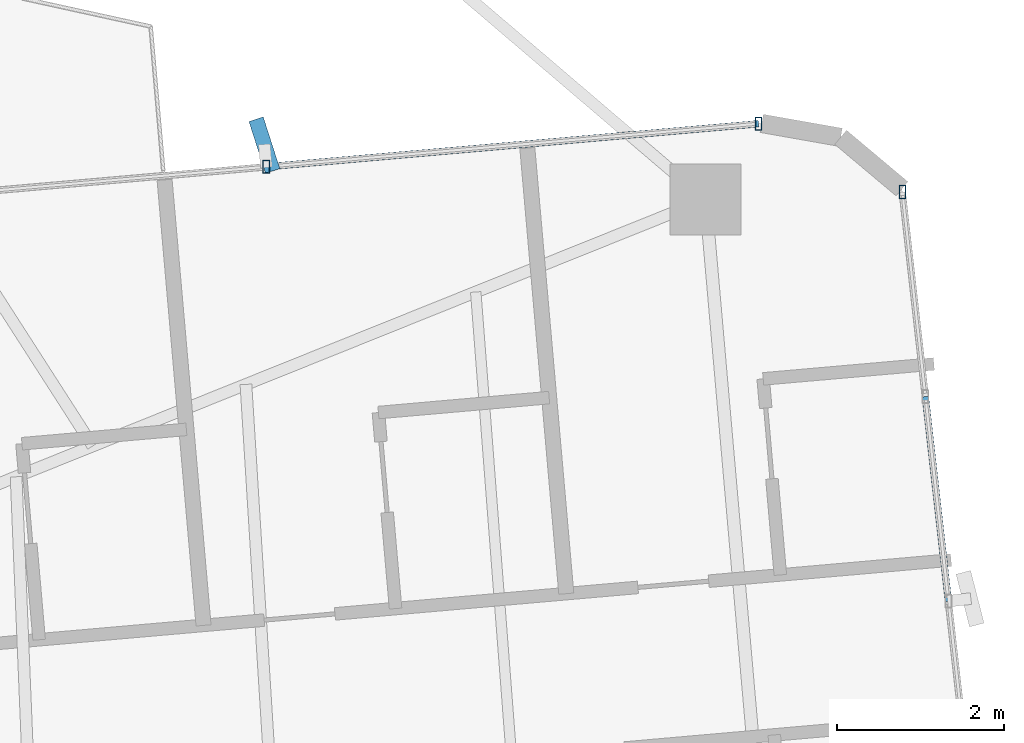
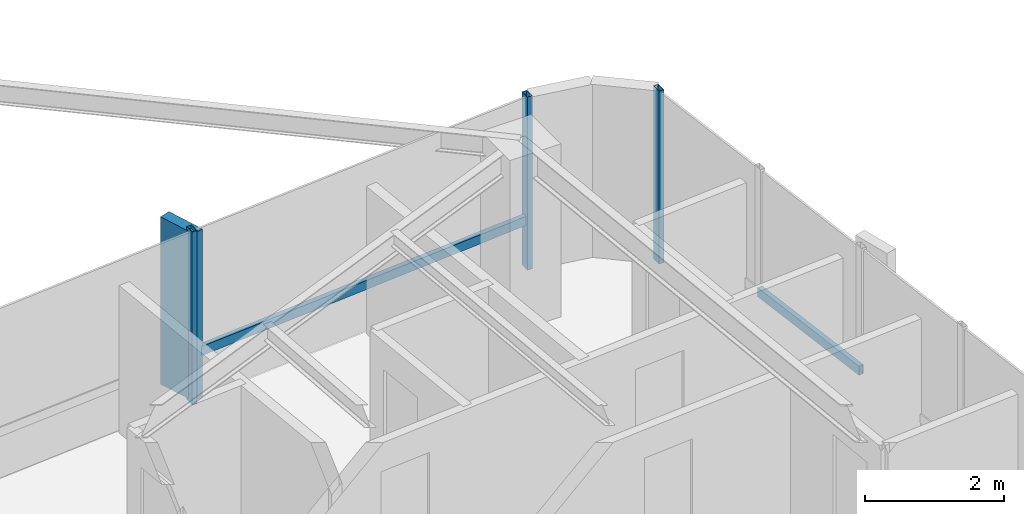
# One storey, part 15 of 24: 6 members, 2 elements without a shape of their own.
"""IFC4 building model written with IfcOpenShell, lengths in metres."""

from ifc_helpers import new_model, si_unit, direction, frame, origin, origin_2d, place, context, subcontext, project, spatial, rectangle, hollow_rectangle, extrude, source, transform, mapped, material, material_profile, profile_set, type_object, element, aggregate, save


model = new_model("IFC4")

# Units and contexts
model_context = context("Model", 3, precision=1e-05, world=origin(), true_north=direction((0.0, 1.0)))
body_context = subcontext(model_context, "Body", "Model", "MODEL_VIEW")
ifc_project = project(units=[si_unit("LENGTHUNIT", "METRE"), si_unit("AREAUNIT", "SQUARE_METRE"), si_unit("VOLUMEUNIT", "CUBIC_METRE"), si_unit("PLANEANGLEUNIT", "RADIAN"), si_unit("MASSUNIT", "GRAM", prefix="KILO")], contexts=[model_context])

# Site, building, storey
site_placement = place(None, origin())
site = spatial("IfcSite", under=ifc_project, at=site_placement, CompositionType="ELEMENT")
building_placement = place(site_placement, origin())
building = spatial("IfcBuilding", under=site, at=building_placement, Name="Sahyath Konkavel Grand Hotel", CompositionType="ELEMENT")
storey_placement = place(building_placement, frame((0.0, 0.0, 167.35009765625)))
storey = spatial("IfcBuildingStorey", under=building, at=storey_placement, Name="L46", CompositionType="ELEMENT", Elevation=167.35009765625)

# Curtain wall, member
ifc_material_1 = material(Name="Anodised Bronze Aluminium & Low-E Glazing", Category="aluminium")
curtain_wall_type = type_object("IfcCurtainWallType", Name="CW-ZONE3", PredefinedType="NOTDEFINED", material=ifc_material_1)
curtain_wall_1_placement = place(storey_placement, origin())
curtain_wall_1 = element("IfcCurtainWall", 1, at=curtain_wall_1_placement, inside=storey, type_object=curtain_wall_type, Name="L46 Unitised Curtain Wall F4", PredefinedType="NOTDEFINED")
ifc_material_2 = material(Name="Anodised Bronze Aluminium", Category="aluminium")
ifc_material_profile_1 = material_profile(ifc_material_2, hollow_rectangle(XDim=0.080078125, YDim=0.159912109375, WallThickness=0.006103515625, at=origin_2d()), Name="RHS 160x80x6")
ifc_profile_set_1 = profile_set([ifc_material_profile_1], Name="Anodised Bronze Aluminium")
member_type_1 = type_object("IfcMemberType", Name="CW-MUL-160", PredefinedType="MULLION", material=ifc_profile_set_1)
shared_shape_1 = source(origin(), body_context, "Body", "SweptSolid", [
    extrude(hollow_rectangle(XDim=0.080078125, YDim=0.159912109375, WallThickness=0.006103515625, at=origin_2d()), origin(), (0.0, 0.0, 1.0), 3.0498046875),
])
member_1_placement = place(storey_placement, frame((19.308349609375, 7.094970703125, 0.0), z_axis=(0.0, 0.0, 1.0), x_axis=(1.0, 0.0, 0.0)))
member_1 = element("IfcMember", 2, at=member_1_placement, type_object=member_type_1, Name="L46 Curtain Wall Mullion F4-4", PredefinedType="MULLION", context=body_context, shape_type="MappedRepresentation", body=[
    mapped(shared_shape_1, transform((0.0, 0.0, 0.0), scale=1.0)),
])

# Curtain wall, members
curtain_wall_2_placement = place(storey_placement, origin())
curtain_wall_2 = element("IfcCurtainWall", 3, at=curtain_wall_2_placement, inside=storey, type_object=curtain_wall_type, Name="L46 Unitised Curtain Wall F7", PredefinedType="NOTDEFINED")
member_2_placement = place(storey_placement, frame((17.58740234375, 7.912841796875, 0.0), z_axis=(0.0, 0.0, 1.0), x_axis=(1.0, 0.0, 0.0)))
member_2 = element("IfcMember", 4, at=member_2_placement, type_object=member_type_1, Name="L46 Curtain Wall Mullion F7-0", PredefinedType="MULLION", context=body_context, shape_type="MappedRepresentation", body=[
    mapped(shared_shape_1, transform((0.0, 0.0, 0.0), scale=1.0)),
])
member_3_placement = place(storey_placement, frame((11.69970703125, 7.39794921875, 0.0), z_axis=(0.0, 0.0, 1.0), x_axis=(1.0, 0.0, 0.0)))
member_3 = element("IfcMember", 5, at=member_3_placement, type_object=member_type_1, Name="L46 Curtain Wall Mullion F7-1", PredefinedType="MULLION", context=body_context, shape_type="MappedRepresentation", body=[
    mapped(shared_shape_1, transform((0.0, 0.0, 0.0), scale=1.0)),
])
ifc_material_3 = material(Name="Warm Buff Sandstone Cladding on Concrete C50/60", Category="masonry")
ifc_material_profile_2 = material_profile(ifc_material_3, rectangle(XDim=0.179931640625, YDim=0.64990234375, at=origin_2d()), Name="FIN 180x650")
ifc_profile_set_2 = profile_set([ifc_material_profile_2], Name="Warm Buff Sandstone Cladding on Concrete C50/60")
member_type_2 = type_object("IfcMemberType", Name="FIN-SANDSTONE-650", PredefinedType="MULLION", material=ifc_profile_set_2)
shared_shape_2 = source(origin(), body_context, "Body", "SweptSolid", [
    extrude(rectangle(XDim=0.179931640625, YDim=0.64990234375, at=origin_2d()), origin(), (0.0, 0.0, 1.0), 2.9501953125),
])
member_4_placement = place(storey_placement, frame((11.677001953125, 7.656982421875, 0.0498046875), z_axis=(0.0, 0.0, 1.0), x_axis=(0.952022626946, 0.306027642189, 0.0)))
member_4 = element("IfcMember", 6, at=member_4_placement, type_object=member_type_2, Name="L46 Sandstone Vertical Solar Fin FIN F7-1", PredefinedType="MULLION", context=body_context, shape_type="MappedRepresentation", body=[
    mapped(shared_shape_2, transform((0.0, 0.0, 0.0), scale=1.0)),
])

# Member
ifc_material_profile_3 = material_profile(ifc_material_2, hollow_rectangle(XDim=0.080078125, YDim=0.159912109375, WallThickness=0.006103515625, at=origin_2d()), Name="RHS 160x80x6")
ifc_profile_set_3 = profile_set([ifc_material_profile_3], Name="Anodised Bronze Aluminium")
member_type_3 = type_object("IfcMemberType", Name="CW-TRN-160", PredefinedType="USERDEFINED", material=ifc_profile_set_3)
shared_shape_3 = source(origin(), body_context, "Body", "SweptSolid", [
    extrude(hollow_rectangle(XDim=0.080078125, YDim=0.159912109375, WallThickness=0.006103515625, at=origin_2d()), origin(), (0.0, 0.0, 1.0), 2.461669921875),
])
member_5_placement = place(storey_placement, frame((19.859619140625, 2.201904296875, 0.849853515625), z_axis=(-0.111966154832, 0.993712020744, 0.0), x_axis=(-0.993712020744, -0.111966154832, 0.0)))
member_5 = element("IfcMember", 7, at=member_5_placement, type_object=member_type_3, Name="L46 Curtain Wall Transom F4-2-spandrel", ObjectType="TRANSOM", PredefinedType="USERDEFINED", context=body_context, shape_type="MappedRepresentation", body=[
    mapped(shared_shape_3, transform((0.0, 0.0, 0.0), scale=1.0)),
])

aggregate(curtain_wall_1, [member_1, member_5])

shared_shape_4 = source(origin(), body_context, "Body", "SweptSolid", [
    extrude(hollow_rectangle(XDim=0.080078125, YDim=0.159912109375, WallThickness=0.006103515625, at=origin_2d()), origin(), (0.0, 0.0, 1.0), 5.91015625),
])
member_6_placement = place(storey_placement, frame((17.58740234375, 7.912841796875, 0.849853515625), z_axis=(-0.996197841474, -0.087119806256, 0.0), x_axis=(0.087119806256, -0.996197841474, 0.0)))
member_6 = element("IfcMember", 8, at=member_6_placement, type_object=member_type_3, Name="L46 Curtain Wall Transom F7-0-spandrel", ObjectType="TRANSOM", PredefinedType="USERDEFINED", context=body_context, shape_type="MappedRepresentation", body=[
    mapped(shared_shape_4, transform((0.0, 0.0, 0.0), scale=1.0)),
])

aggregate(curtain_wall_2, [member_2, member_3, member_4, member_6])

save(model, "model.ifc")
